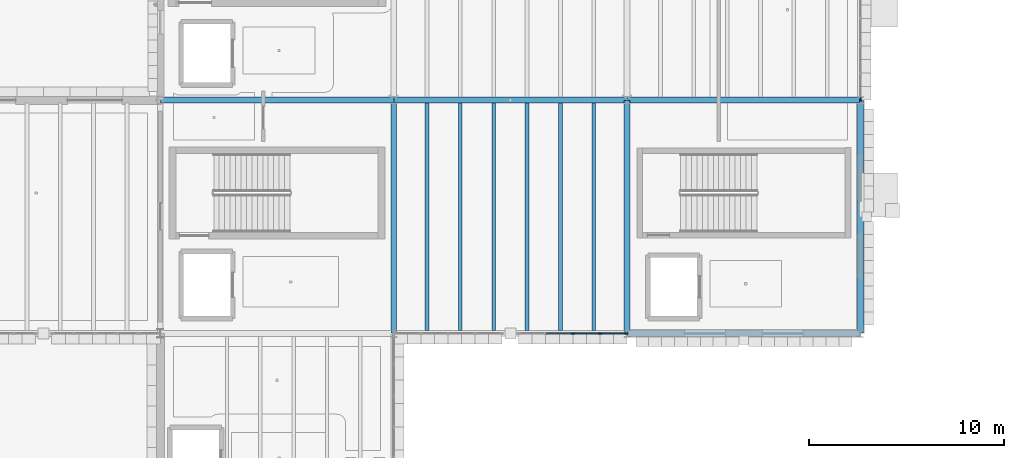
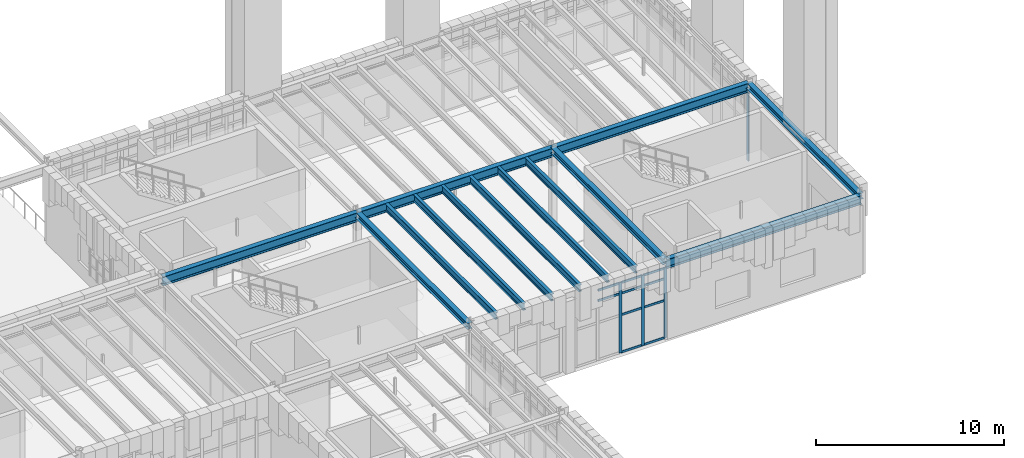
# One storey, part 36 of 103: 14 members, 13 beams, 2 elements without a shape of their own.
"""IFC4 building model written with IfcOpenShell, lengths in metres."""

from ifc_helpers import new_model, si_unit, direction, frame, origin, origin_2d, place, context, subcontext, project, spatial, rectangle, i_section, extrude, material, layer, layer_set, material_profile, profile_set, type_object, element, aggregate, save


model = new_model("IFC4")

# Units and contexts
model_context = context("Model", 3, precision=1e-05, world=origin(), true_north=direction((0.0, 1.0)))
body_context = subcontext(model_context, "Body", "Model", "MODEL_VIEW")
ifc_project = project(units=[si_unit("LENGTHUNIT", "METRE"), si_unit("AREAUNIT", "SQUARE_METRE"), si_unit("VOLUMEUNIT", "CUBIC_METRE"), si_unit("PLANEANGLEUNIT", "RADIAN"), si_unit("MASSUNIT", "GRAM", prefix="KILO")], contexts=[model_context])

# Site, building, storey
site_placement = place(None, origin())
site = spatial("IfcSite", under=ifc_project, at=site_placement, CompositionType="ELEMENT")
building_placement = place(site_placement, origin())
building = spatial("IfcBuilding", under=site, at=building_placement, Name="Zlatogorsky Bluff Art Gallery", CompositionType="ELEMENT")
storey_placement = place(building_placement, origin())
storey = spatial("IfcBuildingStorey", under=building, at=storey_placement, Name="L00", CompositionType="ELEMENT", Elevation=0.0)

# Beams
ifc_material_1 = material(Name="Steel S355", Category="steel")
ifc_material_profile_1 = material_profile(ifc_material_1, i_section(OverallWidth=0.300048828125, OverallDepth=0.590087890625, WebThickness=0.012939453125, FlangeThickness=0.02490234375, FilletRadius=0.027099609375, at=origin_2d()), Name="HEA 600")
ifc_profile_set_1 = profile_set([ifc_material_profile_1], Name="Steel S355")
beam_type_1 = type_object("IfcBeamType", Name="Beam BM-05 HEA 600", PredefinedType="BEAM", material=ifc_profile_set_1)
for number, where, z_axis, x_axis, name in (
    (1, (120.014892578125, 96.0, 4.844970703125), (1.0, 0.0, 0.0), (0.0, 1.0, 0.0), "Primary girder BM-05 L00 L-M/10"),
    (2, (132.014892578125, 96.0, 4.844970703125), (1.0, 0.0, 0.0), (0.0, 1.0, 0.0), "Primary girder BM-05 L00 M-N/10"),
    (3, (144.014892578125, 84.0, 4.844970703125), (1.0, 0.0, 0.0), (0.0, 1.0, 0.0), "Primary girder BM-05 L00 N-P/9"),
    (4, (144.014892578125, 96.0, 4.844970703125), (1.0, 0.0, 0.0), (0.0, 1.0, 0.0), "Primary girder BM-05 L00 N-P/10"),
):
    element("IfcBeam", number, at=place(storey_placement, frame(where, z_axis=z_axis, x_axis=x_axis)), inside=storey, type_object=beam_type_1, Name=name, PredefinedType="BEAM", context=body_context, shape_type="SweptSolid", body=[
        extrude(i_section(OverallWidth=0.300048828125, OverallDepth=0.590087890625, WebThickness=0.012939453125, FlangeThickness=0.02490234375, FilletRadius=0.027099609375, at=origin_2d()), origin(), (0.0, 0.0, 1.0), 11.97021484375),
    ])
ifc_material_profile_2 = material_profile(ifc_material_1, i_section(OverallWidth=0.300048828125, OverallDepth=0.389892578125, WebThickness=0.010986328125, FlangeThickness=0.01904296875, FilletRadius=0.027099609375, at=origin_2d()), Name="HEA 400")
ifc_profile_set_2 = profile_set([ifc_material_profile_2], Name="Steel S355")
beam_type_2 = type_object("IfcBeamType", Name="Beam BM-09 HEA 400", PredefinedType="BEAM", material=ifc_profile_set_2)
for number, where, z_axis, x_axis, name in (
    (5, (132.0, 84.014892578125, 4.945068359375), (0.0, 1.0, 0.0), (-1.0, 0.0, 0.0), "Primary girder BM-09 L00 M/9-10"),
    (6, (144.0, 84.014892578125, 4.945068359375), (0.0, 1.0, 0.0), (-1.0, 0.0, 0.0), "Primary girder BM-09 L00 N/9-10"),
    (7, (156.0, 84.014892578125, 4.945068359375), (0.0, 1.0, 0.0), (-1.0, 0.0, 0.0), "Primary girder BM-09 L00 P/9-10"),
):
    element("IfcBeam", number, at=place(storey_placement, frame(where, z_axis=z_axis, x_axis=x_axis)), inside=storey, type_object=beam_type_2, Name=name, PredefinedType="BEAM", context=body_context, shape_type="SweptSolid", body=[
        extrude(i_section(OverallWidth=0.300048828125, OverallDepth=0.389892578125, WebThickness=0.010986328125, FlangeThickness=0.01904296875, FilletRadius=0.027099609375, at=origin_2d()), origin(), (0.0, 0.0, 1.0), 11.97021484375),
    ])
ifc_material_profile_3 = material_profile(ifc_material_1, i_section(OverallWidth=0.18994140625, OverallDepth=0.449951171875, WebThickness=0.009521484375, FlangeThickness=0.0146484375, FilletRadius=0.02099609375, at=origin_2d()), Name="IPE 450")
ifc_profile_set_3 = profile_set([ifc_material_profile_3], Name="Steel S355")
beam_type_3 = type_object("IfcBeamType", Name="Beam JS-06 IPE 450", PredefinedType="JOIST", material=ifc_profile_set_3)
for number, where, z_axis, x_axis, name in (
    (8, (133.71435546875, 84.14990234375, 4.9150390625), (0.0, 1.0, 0.0), (-1.0, 0.0, 0.0), "Composite floor joist JS-06 L00 11.08.1"),
    (9, (135.428466796875, 84.14990234375, 4.9150390625), (0.0, 1.0, 0.0), (-1.0, 0.0, 0.0), "Composite floor joist JS-06 L00 11.08.2"),
    (10, (137.142822265625, 84.14990234375, 4.9150390625), (0.0, 1.0, 0.0), (-1.0, 0.0, 0.0), "Composite floor joist JS-06 L00 11.08.3"),
    (11, (138.857177734375, 84.14990234375, 4.9150390625), (0.0, 1.0, 0.0), (-1.0, 0.0, 0.0), "Composite floor joist JS-06 L00 11.08.4"),
    (12, (140.571533203125, 84.14990234375, 4.9150390625), (0.0, 1.0, 0.0), (-1.0, 0.0, 0.0), "Composite floor joist JS-06 L00 11.08.5"),
    (13, (142.28564453125, 84.14990234375, 4.9150390625), (0.0, 1.0, 0.0), (-1.0, 0.0, 0.0), "Composite floor joist JS-06 L00 11.08.6"),
):
    element("IfcBeam", number, at=place(storey_placement, frame(where, z_axis=z_axis, x_axis=x_axis)), inside=storey, type_object=beam_type_3, Name=name, PredefinedType="JOIST", context=body_context, shape_type="SweptSolid", body=[
        extrude(i_section(OverallWidth=0.18994140625, OverallDepth=0.449951171875, WebThickness=0.009521484375, FlangeThickness=0.0146484375, FilletRadius=0.02099609375, at=origin_2d()), origin(), (0.0, 0.0, 1.0), 11.7001953125),
    ])

# Curtain wall, members
ifc_material_2 = material(Name="Anodised Bronze Aluminium and Low-Iron Triple Glazing", Category="aluminium")
ifc_layer = layer(ifc_material_2, 0.199951171875)
ifc_layer_set = layer_set([ifc_layer], Name="Curtain Wall CW-02")
curtain_wall_type = type_object("IfcCurtainWallType", Name="Curtain Wall CW-02", PredefinedType="USERDEFINED", material=ifc_layer_set)
curtain_wall_1_placement = place(storey_placement, origin())
curtain_wall_1 = element("IfcCurtainWall", 14, at=curtain_wall_1_placement, inside=storey, type_object=curtain_wall_type, Name="Unitised curtain wall CW-02 L00 S 11.8-B", ObjectType="CURTAIN WALL", PredefinedType="USERDEFINED")
ifc_material_3 = material(Name="Anodised Bronze Aluminium", Category="aluminium")
ifc_material_profile_4 = material_profile(ifc_material_3, rectangle(XDim=0.06494140625, YDim=0.179931640625, at=origin_2d()), Name="ALU MULLION 65x180")
ifc_profile_set_4 = profile_set([ifc_material_profile_4], Name="Anodised Bronze Aluminium")
member_type_1 = type_object("IfcMemberType", Name="Curtain Mullion ML-01", PredefinedType="MULLION", material=ifc_profile_set_4)
member_1_placement = place(storey_placement, frame((141.2099609375, 84.0, 0.0), z_axis=(0.0, 0.0, 1.0), x_axis=(0.0, 1.0, 0.0)))
member_1 = element("IfcMember", 15, at=member_1_placement, type_object=member_type_1, Name="CW-02 mullion 3", PredefinedType="MULLION", context=body_context, shape_type="SweptSolid", body=[
    extrude(rectangle(XDim=0.06494140625, YDim=0.179931640625, at=origin_2d()), origin(), (0.0, 0.0, 1.0), 4.56005859375),
])
member_2_placement = place(storey_placement, frame((142.60498046875, 84.0, 0.0), z_axis=(0.0, 0.0, 1.0), x_axis=(0.0, 1.0, 0.0)))
member_2 = element("IfcMember", 16, at=member_2_placement, type_object=member_type_1, Name="CW-02 mullion 4", PredefinedType="MULLION", context=body_context, shape_type="SweptSolid", body=[
    extrude(rectangle(XDim=0.06494140625, YDim=0.179931640625, at=origin_2d()), origin(), (0.0, 0.0, 1.0), 4.56005859375),
])
member_3_placement = place(storey_placement, frame((143.967529296875, 84.0, 0.0), z_axis=(0.0, 0.0, 1.0), x_axis=(0.0, 1.0, 0.0)))
member_3 = element("IfcMember", 17, at=member_3_placement, type_object=member_type_1, Name="CW-02 mullion 5", PredefinedType="MULLION", context=body_context, shape_type="SweptSolid", body=[
    extrude(rectangle(XDim=0.06494140625, YDim=0.179931640625, at=origin_2d()), origin(), (0.0, 0.0, 1.0), 4.56005859375),
])

# Curtain wall, member
curtain_wall_2_placement = place(storey_placement, origin())
curtain_wall_2 = element("IfcCurtainWall", 18, at=curtain_wall_2_placement, inside=storey, type_object=curtain_wall_type, Name="Unitised curtain wall CW-02 L00 E 12.9-A", ObjectType="CURTAIN WALL", PredefinedType="USERDEFINED")
member_4_placement = place(storey_placement, frame((156.0, 96.032470703125, 0.0), z_axis=(0.0, 0.0, 1.0), x_axis=(-1.0, 0.0, 0.0)))
member_4 = element("IfcMember", 19, at=member_4_placement, type_object=member_type_1, Name="CW-02 mullion 1", PredefinedType="MULLION", context=body_context, shape_type="SweptSolid", body=[
    extrude(rectangle(XDim=0.06494140625, YDim=0.179931640625, at=origin_2d()), origin(), (0.0, 0.0, 1.0), 4.56005859375),
])
aggregate(curtain_wall_2, [member_4])

# Member
ifc_material_profile_5 = material_profile(ifc_material_3, rectangle(XDim=0.06494140625, YDim=0.139892578125, at=origin_2d()), Name="ALU TRANSOM 65x140")
ifc_profile_set_5 = profile_set([ifc_material_profile_5], Name="Anodised Bronze Aluminium")
member_type_2 = type_object("IfcMemberType", Name="Curtain Transom TR-01", PredefinedType="USERDEFINED", material=ifc_profile_set_5)
member_5_placement = place(storey_placement, frame((139.847412109375, 84.0, 3.85009765625), z_axis=(1.0, 0.0, 0.0), x_axis=(0.0, 1.0, 0.0)))
member_5 = element("IfcMember", 20, at=member_5_placement, type_object=member_type_2, Name="CW-02 transom 2.3", ObjectType="TRANSOM", PredefinedType="USERDEFINED", context=body_context, shape_type="SweptSolid", body=[
    extrude(rectangle(XDim=0.06494140625, YDim=0.139892578125, at=origin_2d()), origin(), (0.0, 0.0, 1.0), 1.330078125),
])

member_6_placement = place(storey_placement, frame((139.847412109375, 84.0, 4.527587890625), z_axis=(1.0, 0.0, 0.0), x_axis=(0.0, 1.0, 0.0)))
member_6 = element("IfcMember", 21, at=member_6_placement, type_object=member_type_2, Name="CW-02 transom 2.4", ObjectType="TRANSOM", PredefinedType="USERDEFINED", context=body_context, shape_type="SweptSolid", body=[
    extrude(rectangle(XDim=0.06494140625, YDim=0.139892578125, at=origin_2d()), origin(), (0.0, 0.0, 1.0), 1.330078125),
])

member_7_placement = place(storey_placement, frame((141.242431640625, 84.0, 0.032470703125), z_axis=(1.0, 0.0, 0.0), x_axis=(0.0, 1.0, 0.0)))
member_7 = element("IfcMember", 22, at=member_7_placement, type_object=member_type_2, Name="CW-02 transom 3.1", ObjectType="TRANSOM", PredefinedType="USERDEFINED", context=body_context, shape_type="SweptSolid", body=[
    extrude(rectangle(XDim=0.06494140625, YDim=0.139892578125, at=origin_2d()), origin(), (0.0, 0.0, 1.0), 1.330078125),
])

member_8_placement = place(storey_placement, frame((141.242431640625, 84.0, 2.449951171875), z_axis=(1.0, 0.0, 0.0), x_axis=(0.0, 1.0, 0.0)))
member_8 = element("IfcMember", 23, at=member_8_placement, type_object=member_type_2, Name="CW-02 transom 3.2", ObjectType="TRANSOM", PredefinedType="USERDEFINED", context=body_context, shape_type="SweptSolid", body=[
    extrude(rectangle(XDim=0.06494140625, YDim=0.139892578125, at=origin_2d()), origin(), (0.0, 0.0, 1.0), 1.330078125),
])

member_9_placement = place(storey_placement, frame((141.242431640625, 84.0, 3.85009765625), z_axis=(1.0, 0.0, 0.0), x_axis=(0.0, 1.0, 0.0)))
member_9 = element("IfcMember", 24, at=member_9_placement, type_object=member_type_2, Name="CW-02 transom 3.3", ObjectType="TRANSOM", PredefinedType="USERDEFINED", context=body_context, shape_type="SweptSolid", body=[
    extrude(rectangle(XDim=0.06494140625, YDim=0.139892578125, at=origin_2d()), origin(), (0.0, 0.0, 1.0), 1.330078125),
])

member_10_placement = place(storey_placement, frame((141.242431640625, 84.0, 4.527587890625), z_axis=(1.0, 0.0, 0.0), x_axis=(0.0, 1.0, 0.0)))
member_10 = element("IfcMember", 25, at=member_10_placement, type_object=member_type_2, Name="CW-02 transom 3.4", ObjectType="TRANSOM", PredefinedType="USERDEFINED", context=body_context, shape_type="SweptSolid", body=[
    extrude(rectangle(XDim=0.06494140625, YDim=0.139892578125, at=origin_2d()), origin(), (0.0, 0.0, 1.0), 1.330078125),
])

member_11_placement = place(storey_placement, frame((142.637451171875, 84.0, 0.032470703125), z_axis=(1.0, 0.0, 0.0), x_axis=(0.0, 1.0, 0.0)))
member_11 = element("IfcMember", 26, at=member_11_placement, type_object=member_type_2, Name="CW-02 transom 4.1", ObjectType="TRANSOM", PredefinedType="USERDEFINED", context=body_context, shape_type="SweptSolid", body=[
    extrude(rectangle(XDim=0.06494140625, YDim=0.139892578125, at=origin_2d()), origin(), (0.0, 0.0, 1.0), 1.297607421875),
])

member_12_placement = place(storey_placement, frame((142.637451171875, 84.0, 2.449951171875), z_axis=(1.0, 0.0, 0.0), x_axis=(0.0, 1.0, 0.0)))
member_12 = element("IfcMember", 27, at=member_12_placement, type_object=member_type_2, Name="CW-02 transom 4.2", ObjectType="TRANSOM", PredefinedType="USERDEFINED", context=body_context, shape_type="SweptSolid", body=[
    extrude(rectangle(XDim=0.06494140625, YDim=0.139892578125, at=origin_2d()), origin(), (0.0, 0.0, 1.0), 1.297607421875),
])

member_13_placement = place(storey_placement, frame((142.637451171875, 84.0, 3.85009765625), z_axis=(1.0, 0.0, 0.0), x_axis=(0.0, 1.0, 0.0)))
member_13 = element("IfcMember", 28, at=member_13_placement, type_object=member_type_2, Name="CW-02 transom 4.3", ObjectType="TRANSOM", PredefinedType="USERDEFINED", context=body_context, shape_type="SweptSolid", body=[
    extrude(rectangle(XDim=0.06494140625, YDim=0.139892578125, at=origin_2d()), origin(), (0.0, 0.0, 1.0), 1.297607421875),
])

member_14_placement = place(storey_placement, frame((142.637451171875, 84.0, 4.527587890625), z_axis=(1.0, 0.0, 0.0), x_axis=(0.0, 1.0, 0.0)))
member_14 = element("IfcMember", 29, at=member_14_placement, type_object=member_type_2, Name="CW-02 transom 4.4", ObjectType="TRANSOM", PredefinedType="USERDEFINED", context=body_context, shape_type="SweptSolid", body=[
    extrude(rectangle(XDim=0.06494140625, YDim=0.139892578125, at=origin_2d()), origin(), (0.0, 0.0, 1.0), 1.297607421875),
])

aggregate(curtain_wall_1, [member_1, member_2, member_3, member_5, member_6, member_7, member_8, member_9, member_10, member_11, member_12, member_13, member_14])

save(model, "model.ifc")
